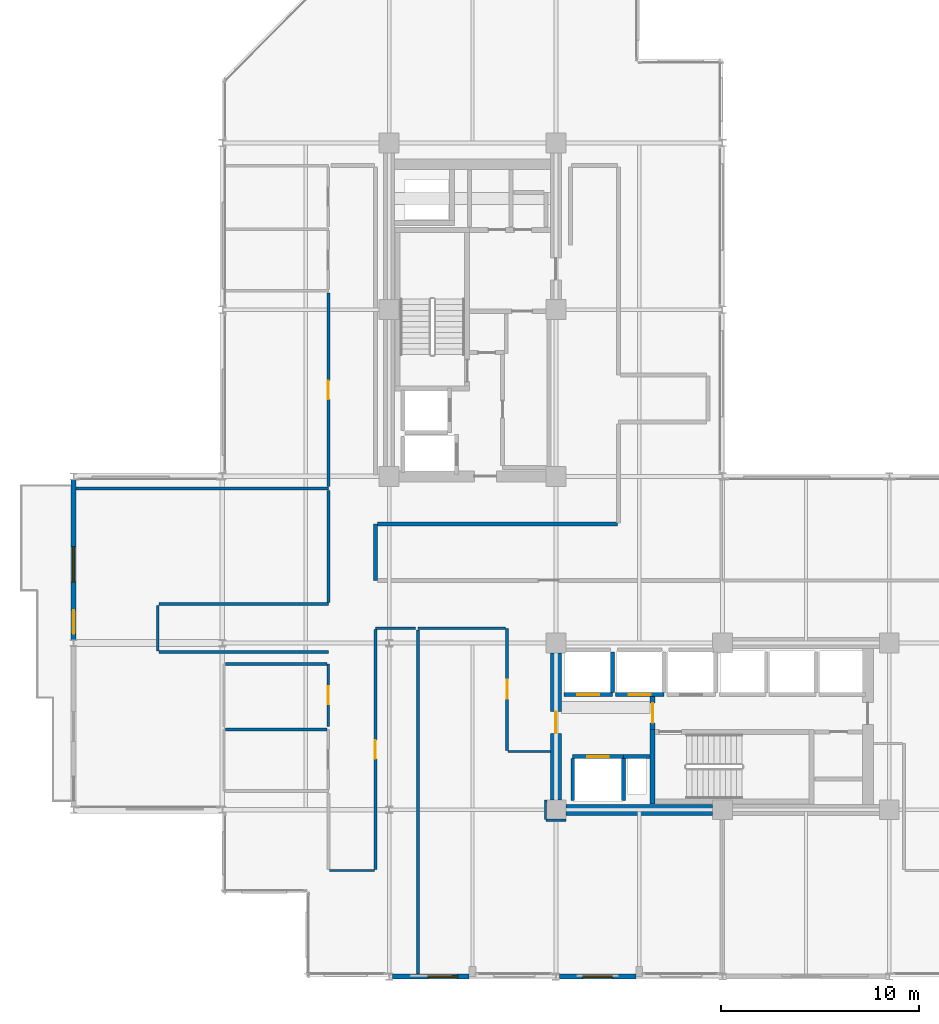
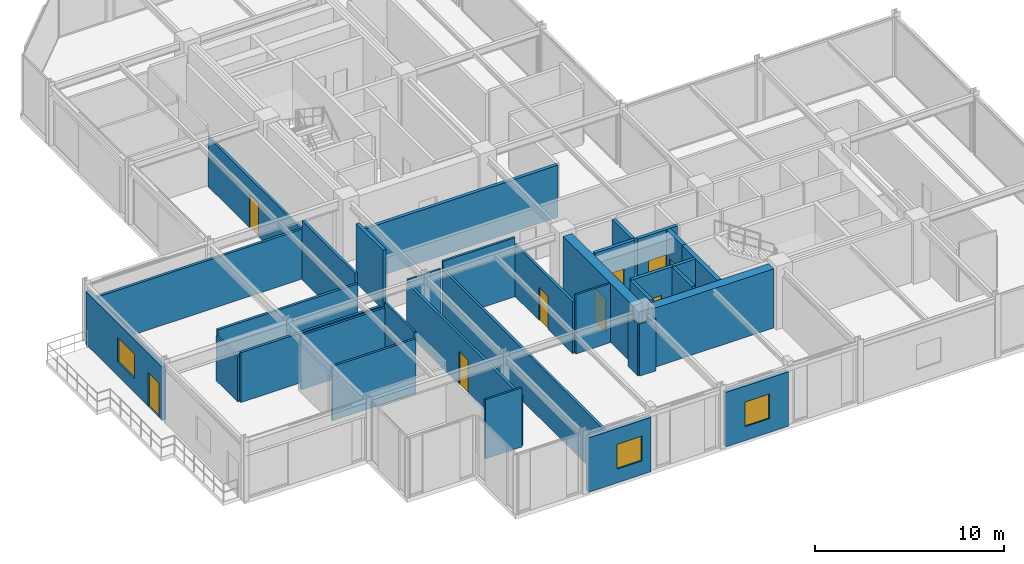
# One storey, part 24 of 29: 34 walls, 10 doors, 3 windows, 13 openings.
"""IFC4 building model written with IfcOpenShell, lengths in metres."""

from ifc_helpers import new_model, si_unit, direction, frame, frame_2d, origin, place, context, subcontext, project, spatial, rectangle, extrude, material, layer, layer_set, type_object, element, fill, save


model = new_model("IFC4")

# Units and contexts
model_context = context("Model", 3, precision=1e-05, world=origin(), true_north=direction((0.0, 1.0)))
body_context = subcontext(model_context, "Body", "Model", "MODEL_VIEW")
ifc_project = project(units=[si_unit("LENGTHUNIT", "METRE"), si_unit("AREAUNIT", "SQUARE_METRE"), si_unit("VOLUMEUNIT", "CUBIC_METRE"), si_unit("PLANEANGLEUNIT", "RADIAN"), si_unit("MASSUNIT", "GRAM", prefix="KILO")], contexts=[model_context])

# Site, building, storey
site_placement = place(None, origin())
site = spatial("IfcSite", under=ifc_project, at=site_placement, CompositionType="ELEMENT")
building_placement = place(site_placement, origin())
building = spatial("IfcBuilding", under=site, at=building_placement, Name="Nerrivon Quay Data Exchange", CompositionType="ELEMENT")
storey_placement = place(building_placement, frame((0.0, 0.0, 187.800048828125)))
storey = spatial("IfcBuildingStorey", under=building, at=storey_placement, Name="L44", CompositionType="ELEMENT", Elevation=187.800048828125)

# Wall, openings, door, window
ifc_material_1 = material(Name="Architectural terracotta precast concrete N50 (50 MPa)", Category="masonry")
ifc_layer_1 = layer(ifc_material_1, 0.239990234375)
ifc_layer_set_1 = layer_set([ifc_layer_1], Name="Architectural terracotta precast concrete N50 (50 MPa)")
wall_type_1 = type_object("IfcWallType", Name="EW-PREC-240", PredefinedType="STANDARD", material=ifc_layer_set_1)
wall_1_placement = place(storey_placement, frame((-7.5, 16.96337890625, 0.0), z_axis=(0.0, 0.0, 1.0), x_axis=(0.0, 1.0, 0.0)))
wall_1 = element("IfcWall", 1, at=wall_1_placement, inside=storey, type_object=wall_type_1, Name="L44 Terrace Host Wall 2", PredefinedType="STANDARD", context=body_context, shape_type="SweptSolid", body=[
    extrude(rectangle(XDim=8.0732421875, YDim=0.239990234375, at=frame_2d((4.03662109375, 0.0))), origin(), (0.0, 0.0, 1.0), 3.421875),
])
opening_1_placement = place(wall_1_placement, frame((0.300048828125, 0.0, 0.0)))
opening_1 = element("IfcOpeningElement", 2, at=opening_1_placement, cuts=wall_1, Name="Opening TD1", PredefinedType="OPENING", context=body_context, shape_type="SweptSolid", body=[
    extrude(rectangle(XDim=1.199951171875, YDim=2.199951171875, at=frame_2d((0.60009765625, 1.10009765625))), frame((0.0, 0.1298828125, 0.0), z_axis=(0.0, -1.0, 0.0), x_axis=(1.0, 0.0, 0.0)), (0.0, 0.0, 1.0), 0.260009765625),
])
opening_2_placement = place(wall_1_placement, frame((2.90283203125, 0.0, 0.89990234375)))
opening_2 = element("IfcOpeningElement", 3, at=opening_2_placement, cuts=wall_1, Name="Opening WN2", PredefinedType="OPENING", context=body_context, shape_type="SweptSolid", body=[
    extrude(rectangle(XDim=1.800048828125, YDim=1.60009765625, at=frame_2d((0.89990234375, 0.800048828125))), frame((0.0, 0.1298828125, 0.0), z_axis=(0.0, -1.0, 0.0), x_axis=(1.0, 0.0, 0.0)), (0.0, 0.0, 1.0), 0.260009765625),
])
ifc_material_2 = material(Name="Double-glazed low-E solar control glass", Category="glass")
door_type_1 = type_object("IfcDoorType", Name="DR-TERR-1200x2200", OperationType="NOTDEFINED", PredefinedType="DOOR", material=ifc_material_2)
door_1_placement = place(opening_1_placement, origin())
door_1 = element("IfcDoor", 4, at=door_1_placement, inside=storey, type_object=door_type_1, Name="L44 Outdoor Terrace Access Door 2", OperationType="SINGLE_SWING_LEFT", OverallHeight=2.199951171875, OverallWidth=1.199951171875, PredefinedType="DOOR", context=body_context, shape_type="SweptSolid", body=[
    extrude(rectangle(XDim=1.199951171875, YDim=2.199951171875, at=frame_2d((0.60009765625, 1.10009765625))), frame((0.0, 0.02490234375, 0.0), z_axis=(0.0, -1.0, 0.0), x_axis=(1.0, 0.0, 0.0)), (0.0, 0.0, 1.0), 0.050048828125),
])
fill(opening_1, door_1)
window_type_1 = type_object("IfcWindowType", Name="WIN-W2-1800x1600", PartitioningType="SINGLE_PANEL", PredefinedType="WINDOW", material=ifc_material_2)
window_1_placement = place(opening_2_placement, origin())
window_1 = element("IfcWindow", 5, at=window_1_placement, inside=storey, type_object=window_type_1, Name="L44 Terrace Side Window 2", OverallHeight=1.60009765625, OverallWidth=1.800048828125, PartitioningType="SINGLE_PANEL", PredefinedType="WINDOW", context=body_context, shape_type="SweptSolid", body=[
    extrude(rectangle(XDim=1.800048828125, YDim=1.60009765625, at=frame_2d((0.89990234375, 0.800048828125))), frame((0.0, 0.030029296875, 0.0), z_axis=(0.0, -1.0, 0.0), x_axis=(1.0, 0.0, 0.0)), (0.0, 0.0, 1.0), 0.06005859375),
])
fill(opening_2, window_1)

# Wall, opening, window
wall_2_placement = place(storey_placement, frame((20.824951171875, 0.0, 0.0), z_axis=(0.0, 0.0, 1.0), x_axis=(-1.0, 0.0, 0.0)))
wall_2 = element("IfcWall", 6, at=wall_2_placement, inside=storey, type_object=wall_type_1, Name="L44 Podium Precast Spandrel Wall 25", PredefinedType="STANDARD", context=body_context, shape_type="SweptSolid", body=[
    extrude(rectangle(XDim=3.849853515625, YDim=0.239990234375, at=frame_2d((1.9248046875, 0.0))), origin(), (0.0, 0.0, 1.0), 3.52490234375),
])
opening_3_placement = place(wall_2_placement, frame((1.175048828125, 0.0, 0.89990234375)))
opening_3 = element("IfcOpeningElement", 7, at=opening_3_placement, cuts=wall_2, Name="Opening WN4", PredefinedType="OPENING", context=body_context, shape_type="SweptSolid", body=[
    extrude(rectangle(XDim=1.5, YDim=1.60009765625, at=frame_2d((0.75, 0.800048828125))), frame((0.0, 0.1298828125, 0.0), z_axis=(0.0, -1.0, 0.0), x_axis=(1.0, 0.0, 0.0)), (0.0, 0.0, 1.0), 0.260009765625),
])
window_type_2 = type_object("IfcWindowType", Name="WIN-W4-1500x1600", PartitioningType="SINGLE_PANEL", PredefinedType="WINDOW", material=ifc_material_2)
window_2_placement = place(opening_3_placement, origin())
window_2 = element("IfcWindow", 8, at=window_2_placement, inside=storey, type_object=window_type_2, Name="L44 Solar Facade Window 25", OverallHeight=1.60009765625, OverallWidth=1.5, PartitioningType="SINGLE_PANEL", PredefinedType="WINDOW", context=body_context, shape_type="SweptSolid", body=[
    extrude(rectangle(XDim=1.5, YDim=1.60009765625, at=frame_2d((0.75, 0.800048828125))), frame((0.0, 0.030029296875, 0.0), z_axis=(0.0, -1.0, 0.0), x_axis=(1.0, 0.0, 0.0)), (0.0, 0.0, 1.0), 0.06005859375),
])
fill(opening_3, window_2)

wall_3_placement = place(storey_placement, frame((12.425048828125, 0.0, 0.0), z_axis=(0.0, 0.0, 1.0), x_axis=(-1.0, 0.0, 0.0)))
wall_3 = element("IfcWall", 9, at=wall_3_placement, inside=storey, type_object=wall_type_1, Name="L44 Podium Precast Spandrel Wall 27", PredefinedType="STANDARD", context=body_context, shape_type="SweptSolid", body=[
    extrude(rectangle(XDim=3.85009765625, YDim=0.239990234375, at=frame_2d((1.925048828125, 0.0))), origin(), (0.0, 0.0, 1.0), 3.52490234375),
])
opening_4_placement = place(wall_3_placement, frame((0.57861328125, 0.0, 0.89990234375)))
opening_4 = element("IfcOpeningElement", 10, at=opening_4_placement, cuts=wall_3, Name="Opening WN4", PredefinedType="OPENING", context=body_context, shape_type="SweptSolid", body=[
    extrude(rectangle(XDim=1.5, YDim=1.60009765625, at=frame_2d((0.75, 0.800048828125))), frame((0.0, 0.1298828125, 0.0), z_axis=(0.0, -1.0, 0.0), x_axis=(1.0, 0.0, 0.0)), (0.0, 0.0, 1.0), 0.260009765625),
])
window_3_placement = place(opening_4_placement, origin())
window_3 = element("IfcWindow", 11, at=window_3_placement, inside=storey, type_object=window_type_2, Name="L44 Solar Facade Window 27", OverallHeight=1.60009765625, OverallWidth=1.5, PartitioningType="SINGLE_PANEL", PredefinedType="WINDOW", context=body_context, shape_type="SweptSolid", body=[
    extrude(rectangle(XDim=1.5, YDim=1.60009765625, at=frame_2d((0.75, 0.800048828125))), frame((0.0, 0.030029296875, 0.0), z_axis=(0.0, -1.0, 0.0), x_axis=(1.0, 0.0, 0.0)), (0.0, 0.0, 1.0), 0.06005859375),
])
fill(opening_4, window_3)

# Wall
ifc_material_3 = material(Name="Concrete S65 (65 MPa)", Category="concrete")
ifc_layer_2 = layer(ifc_material_3, 0.550048828125)
ifc_layer_set_2 = layer_set([ifc_layer_2], Name="Concrete S65 (65 MPa)")
wall_type_2 = type_object("IfcWallType", Name="WALL-CW-700", PredefinedType="SHEAR", material=ifc_layer_set_2)
wall_4_placement = place(storey_placement, frame((17.300048828125, 8.39990234375, 0.0), z_axis=(0.0, 0.0, 1.0), x_axis=(1.0, 0.0, 0.0)))
element("IfcWall", 12, at=wall_4_placement, inside=storey, type_object=wall_type_2, Name="L44 East Split-Core Shear Wall ECW-S1", PredefinedType="SHEAR", context=body_context, shape_type="SweptSolid", body=[
    extrude(rectangle(XDim=7.39990234375, YDim=0.550048828125, at=frame_2d((3.699951171875, 0.0))), origin(), (0.0, 0.0, 1.0), 3.824951171875),
])

# Wall, opening, door
wall_5_placement = place(storey_placement, frame((16.800048828125, 8.89990234375, 0.0), z_axis=(0.0, 0.0, 1.0), x_axis=(0.0, 1.0, 0.0)))
wall_5 = element("IfcWall", 13, at=wall_5_placement, inside=storey, type_object=wall_type_2, Name="L44 East Split-Core Shear Wall ECW-W1", PredefinedType="SHEAR", context=body_context, shape_type="SweptSolid", body=[
    extrude(rectangle(XDim=7.400146484375, YDim=0.550048828125, at=frame_2d((3.7001953125, 0.0))), origin(), (0.0, 0.0, 1.0), 3.824951171875),
])
opening_5_placement = place(wall_5_placement, frame((3.35009765625, 0.0, 0.0)))
opening_5 = element("IfcOpeningElement", 14, at=opening_5_placement, cuts=wall_5, Name="Opening FD-120", PredefinedType="OPENING", context=body_context, shape_type="SweptSolid", body=[
    extrude(rectangle(XDim=1.10009765625, YDim=2.14990234375, at=frame_2d((0.550048828125, 1.074951171875))), frame((0.0, 0.284912109375, 0.0), z_axis=(0.0, -1.0, 0.0), x_axis=(1.0, 0.0, 0.0)), (0.0, 0.0, 1.0), 0.570068359375),
])
ifc_material_4 = material(Name="Powder-coated galvanized steel sheet", Category="steel")
door_type_2 = type_object("IfcDoorType", Name="DR-FD120-1100", OperationType="NOTDEFINED", PredefinedType="DOOR", material=ifc_material_4)
door_2_placement = place(opening_5_placement, origin())
door_2 = element("IfcDoor", 15, at=door_2_placement, inside=storey, type_object=door_type_2, Name="L44 East Core Lobby Fire Door", OperationType="SINGLE_SWING_RIGHT", OverallHeight=2.14990234375, OverallWidth=1.10009765625, PredefinedType="DOOR", context=body_context, shape_type="SweptSolid", body=[
    extrude(rectangle(XDim=1.10009765625, YDim=2.14990234375, at=frame_2d((0.550048828125, 1.074951171875))), frame((0.0, 0.02490234375, 0.0), z_axis=(0.0, -1.0, 0.0), x_axis=(1.0, 0.0, 0.0)), (0.0, 0.0, 1.0), 0.050048828125),
])
fill(opening_5, door_2)

# Wall
ifc_material_5 = material(Name="Gypsum plasterboard on cold-formed framing", Category="gypsum")
ifc_layer_3 = layer(ifc_material_5, 0.199951171875)
ifc_layer_set_3 = layer_set([ifc_layer_3], Name="Gypsum plasterboard on cold-formed framing")
wall_type_3 = type_object("IfcWallType", Name="WALL-FW-200", PredefinedType="PARTITIONING", material=ifc_layer_set_3)
wall_6_placement = place(storey_placement, frame((20.199951171875, 11.080078125, 0.0), z_axis=(0.0, 0.0, 1.0), x_axis=(1.0, 0.0, 0.0)))
element("IfcWall", 16, at=wall_6_placement, inside=storey, type_object=wall_type_3, Name="L44 East Core MEP Riser Shaft Wall N", PredefinedType="PARTITIONING", context=body_context, shape_type="SweptSolid", body=[
    extrude(rectangle(XDim=1.35009765625, YDim=0.199951171875, at=frame_2d((0.675048828125, 0.0))), origin(), (0.0, 0.0, 1.0), 3.824951171875),
])

# Wall, opening, door
wall_7_placement = place(storey_placement, frame((17.64990234375, 11.080078125, 0.0), z_axis=(0.0, 0.0, 1.0), x_axis=(1.0, 0.0, 0.0)))
wall_7 = element("IfcWall", 17, at=wall_7_placement, inside=storey, type_object=wall_type_3, Name="L44 Lift Front Wall FFL-2", PredefinedType="PARTITIONING", context=body_context, shape_type="SweptSolid", body=[
    extrude(rectangle(XDim=2.550048828125, YDim=0.199951171875, at=frame_2d((1.27490234375, 0.0))), origin(), (0.0, 0.0, 1.0), 3.824951171875),
])
opening_6_placement = place(wall_7_placement, frame((0.72509765625, 0.0, 0.0)))
opening_6 = element("IfcOpeningElement", 18, at=opening_6_placement, cuts=wall_7, Name="Opening LD-120", PredefinedType="OPENING", context=body_context, shape_type="SweptSolid", body=[
    extrude(rectangle(XDim=1.10009765625, YDim=2.199951171875, at=frame_2d((0.550048828125, 1.10009765625))), frame((0.0, 0.10986328125, 0.0), z_axis=(0.0, -1.0, 0.0), x_axis=(1.0, 0.0, 0.0)), (0.0, 0.0, 1.0), 0.219970703125),
])
door_type_3 = type_object("IfcDoorType", Name="DR-LIFT-LD120", OperationType="DOUBLE_DOOR_SLIDING", PredefinedType="DOOR", material=ifc_material_4)
door_3_placement = place(opening_6_placement, origin())
door_3 = element("IfcDoor", 19, at=door_3_placement, inside=storey, type_object=door_type_3, Name="L44 Lift Landing Sliding Door FFL-2", OperationType="DOUBLE_DOOR_SLIDING", OverallHeight=2.199951171875, OverallWidth=1.10009765625, PredefinedType="DOOR", context=body_context, shape_type="SweptSolid", body=[
    extrude(rectangle(XDim=1.10009765625, YDim=2.199951171875, at=frame_2d((0.550048828125, 1.10009765625))), frame((0.0, 0.02490234375, 0.0), z_axis=(0.0, -1.0, 0.0), x_axis=(1.0, 0.0, 0.0)), (0.0, 0.0, 1.0), 0.050048828125),
])
fill(opening_6, door_3)

# Walls
for number, where, z_axis, x_axis, name in (
    (20, (20.199951171875, 8.8798828125, 0.0), (0.0, 0.0, 1.0), (0.0, 1.0, 0.0), "L44 Lift Shaft Wall FFL-2 EAST"),
    (21, (17.64990234375, 8.8798828125, 0.0), (0.0, 0.0, 1.0), (0.0, 1.0, 0.0), "L44 Lift Shaft Wall FFL-2 WEST"),
):
    element("IfcWall", number, at=place(storey_placement, frame(where, z_axis=z_axis, x_axis=x_axis)), inside=storey, type_object=wall_type_3, Name=name, PredefinedType="PARTITIONING", context=body_context, shape_type="SweptSolid", body=[
        extrude(rectangle(XDim=2.10009765625, YDim=0.199951171875, at=frame_2d((1.050048828125, 0.0))), origin(), (0.0, 0.0, 1.0), 3.824951171875),
    ])

# Wall, opening, door
wall_8_placement = place(storey_placement, frame((17.199951171875, 14.199951171875, 0.0), z_axis=(0.0, 0.0, 1.0), x_axis=(1.0, 0.0, 0.0)))
wall_8 = element("IfcWall", 22, at=wall_8_placement, inside=storey, type_object=wall_type_3, Name="L44 Lift Front Wall PL4", PredefinedType="PARTITIONING", context=body_context, shape_type="SweptSolid", body=[
    extrude(rectangle(XDim=2.449951171875, YDim=0.199951171875, at=frame_2d((1.22509765625, 0.0))), origin(), (0.0, 0.0, 1.0), 3.824951171875),
])
opening_7_placement = place(wall_8_placement, frame((0.675048828125, 0.0, 0.0)))
opening_7 = element("IfcOpeningElement", 23, at=opening_7_placement, cuts=wall_8, Name="Opening LD-120", PredefinedType="OPENING", context=body_context, shape_type="SweptSolid", body=[
    extrude(rectangle(XDim=1.10009765625, YDim=2.199951171875, at=frame_2d((0.550048828125, 1.10009765625))), frame((0.0, 0.10986328125, 0.0), z_axis=(0.0, -1.0, 0.0), x_axis=(1.0, 0.0, 0.0)), (0.0, 0.0, 1.0), 0.219970703125),
])
door_4_placement = place(opening_7_placement, origin())
door_4 = element("IfcDoor", 24, at=door_4_placement, inside=storey, type_object=door_type_3, Name="L44 Lift Landing Sliding Door PL4", OperationType="DOUBLE_DOOR_SLIDING", OverallHeight=2.199951171875, OverallWidth=1.10009765625, PredefinedType="DOOR", context=body_context, shape_type="SweptSolid", body=[
    extrude(rectangle(XDim=1.10009765625, YDim=2.199951171875, at=frame_2d((0.550048828125, 1.10009765625))), frame((0.0, 0.02490234375, 0.0), z_axis=(0.0, -1.0, 0.0), x_axis=(1.0, 0.0, 0.0)), (0.0, 0.0, 1.0), 0.050048828125),
])
fill(opening_7, door_4)

# Wall
wall_9_placement = place(storey_placement, frame((19.64990234375, 14.300048828125, 0.0), z_axis=(0.0, 0.0, 1.0), x_axis=(0.0, 1.0, 0.0)))
element("IfcWall", 25, at=wall_9_placement, inside=storey, type_object=wall_type_3, Name="L44 Lift Shaft Wall PL4 EAST", PredefinedType="PARTITIONING", context=body_context, shape_type="SweptSolid", body=[
    extrude(rectangle(XDim=2.050048828125, YDim=0.199951171875, at=frame_2d((1.02490234375, 0.0))), origin(), (0.0, 0.0, 1.0), 3.824951171875),
])

# Wall, opening, door
wall_10_placement = place(storey_placement, frame((19.800048828125, 14.199951171875, 0.0), z_axis=(0.0, 0.0, 1.0), x_axis=(1.0, 0.0, 0.0)))
wall_10 = element("IfcWall", 26, at=wall_10_placement, inside=storey, type_object=wall_type_3, Name="L44 Lift Front Wall PL5", PredefinedType="PARTITIONING", context=body_context, shape_type="SweptSolid", body=[
    extrude(rectangle(XDim=2.449951171875, YDim=0.199951171875, at=frame_2d((1.22509765625, 0.0))), origin(), (0.0, 0.0, 1.0), 3.824951171875),
])
opening_8_placement = place(wall_10_placement, frame((0.675048828125, 0.0, 0.0)))
opening_8 = element("IfcOpeningElement", 27, at=opening_8_placement, cuts=wall_10, Name="Opening LD-120", PredefinedType="OPENING", context=body_context, shape_type="SweptSolid", body=[
    extrude(rectangle(XDim=1.10009765625, YDim=2.199951171875, at=frame_2d((0.550048828125, 1.10009765625))), frame((0.0, 0.10986328125, 0.0), z_axis=(0.0, -1.0, 0.0), x_axis=(1.0, 0.0, 0.0)), (0.0, 0.0, 1.0), 0.219970703125),
])
door_5_placement = place(opening_8_placement, origin())
door_5 = element("IfcDoor", 28, at=door_5_placement, inside=storey, type_object=door_type_3, Name="L44 Lift Landing Sliding Door PL5", OperationType="DOUBLE_DOOR_SLIDING", OverallHeight=2.199951171875, OverallWidth=1.10009765625, PredefinedType="DOOR", context=body_context, shape_type="SweptSolid", body=[
    extrude(rectangle(XDim=1.10009765625, YDim=2.199951171875, at=frame_2d((0.550048828125, 1.10009765625))), frame((0.0, 0.02490234375, 0.0), z_axis=(0.0, -1.0, 0.0), x_axis=(1.0, 0.0, 0.0)), (0.0, 0.0, 1.0), 0.050048828125),
])
fill(opening_8, door_5)

# Walls
wall_11_placement = place(storey_placement, frame((7.7099609375, 22.7900390625, 0.0), z_axis=(0.0, 0.0, 1.0), x_axis=(0.0, -1.0, 0.0)))
element("IfcWall", 29, at=wall_11_placement, inside=storey, type_object=wall_type_3, Name="L44 Partition Colocation Data Workspace 1", PredefinedType="PARTITIONING", context=body_context, shape_type="SweptSolid", body=[
    extrude(rectangle(XDim=2.830078125, YDim=0.199951171875, at=frame_2d((1.4150390625, 0.0))), origin(), (0.0, 0.0, 1.0), 3.824951171875),
])
wall_12_placement = place(storey_placement, frame((19.89990234375, 22.7900390625, 0.0), z_axis=(0.0, 0.0, 1.0), x_axis=(-1.0, 0.0, 0.0)))
element("IfcWall", 30, at=wall_12_placement, inside=storey, type_object=wall_type_3, Name="L44 Partition Colocation Data Workspace 1", PredefinedType="PARTITIONING", context=body_context, shape_type="SweptSolid", body=[
    extrude(rectangle(XDim=12.0859375, YDim=0.199951171875, at=frame_2d((6.04296875, 0.0))), origin(), (0.0, 0.0, 1.0), 3.370849609375),
])

# Wall, opening, door
ifc_layer_4 = layer(ifc_material_5, 0.1201171875)
ifc_layer_set_4 = layer_set([ifc_layer_4], Name="Gypsum plasterboard on cold-formed framing")
wall_type_4 = type_object("IfcWallType", Name="WALL-PT-120", PredefinedType="PARTITIONING", material=ifc_layer_set_4)
wall_13_placement = place(storey_placement, frame((5.340087890625, 12.60009765625, 0.0), z_axis=(0.0, 0.0, 1.0), x_axis=(0.0, 1.0, 0.0)))
wall_13 = element("IfcWall", 31, at=wall_13_placement, inside=storey, type_object=wall_type_4, Name="L44 Partition Public Washrooms", PredefinedType="PARTITIONING", context=body_context, shape_type="SweptSolid", body=[
    extrude(rectangle(XDim=3.14990234375, YDim=0.1201171875, at=frame_2d((1.574951171875, 0.0))), origin(), (0.0, 0.0, 1.0), 3.824951171875),
])
opening_9_placement = place(wall_13_placement, frame((1.114990234375, 0.0, 0.0)))
opening_9 = element("IfcOpeningElement", 32, at=opening_9_placement, cuts=wall_13, Name="Opening D-WC", PredefinedType="OPENING", context=body_context, shape_type="SweptSolid", body=[
    extrude(rectangle(XDim=0.919921875, YDim=2.10009765625, at=frame_2d((0.4599609375, 1.050048828125))), frame((0.0, 0.070068359375, 0.0), z_axis=(0.0, -1.0, 0.0), x_axis=(1.0, 0.0, 0.0)), (0.0, 0.0, 1.0), 0.14013671875),
])
ifc_material_6 = material(Name="Engineered hardwood timber", Category="wood")
door_type_4 = type_object("IfcDoorType", Name="DR-WC-920", OperationType="NOTDEFINED", PredefinedType="DOOR", material=ifc_material_6)
door_6_placement = place(opening_9_placement, origin())
door_6 = element("IfcDoor", 33, at=door_6_placement, inside=storey, type_object=door_type_4, Name="L44 Door Public Washrooms", OperationType="SINGLE_SWING_LEFT", OverallHeight=2.10009765625, OverallWidth=0.919921875, PredefinedType="DOOR", context=body_context, shape_type="SweptSolid", body=[
    extrude(rectangle(XDim=0.919921875, YDim=2.10009765625, at=frame_2d((0.4599609375, 1.050048828125))), frame((0.0, 0.02490234375, 0.0), z_axis=(0.0, -1.0, 0.0), x_axis=(1.0, 0.0, 0.0)), (0.0, 0.0, 1.0), 0.050048828125),
])
fill(opening_9, door_6)

# Walls
wall_14_placement = place(storey_placement, frame((17.303955078125, 7.88037109375, 0.0), z_axis=(0.0, 0.0, 1.0), x_axis=(-0.999999883085, 0.000483558938, 0.0)))
element("IfcWall", 34, at=wall_14_placement, inside=storey, type_object=wall_type_4, Name="L44 Partition Client Conference Room 1", PredefinedType="PARTITIONING", context=body_context, shape_type="SweptSolid", body=[
    extrude(rectangle(XDim=1.009765625, YDim=0.1201171875, at=frame_2d((0.5048828125, 0.0))), origin(), (0.0, 0.0, 1.0), 3.370849609375),
])
wall_15_placement = place(storey_placement, frame((16.280029296875, 7.89990234375, 0.0), z_axis=(0.0, 0.0, 1.0), x_axis=(0.000486381265, 0.999999881717, 0.0)))
element("IfcWall", 35, at=wall_15_placement, inside=storey, type_object=wall_type_4, Name="L44 Partition Client Conference Room 1", PredefinedType="PARTITIONING", context=body_context, shape_type="SweptSolid", body=[
    extrude(rectangle(XDim=1.00390625, YDim=0.1201171875, at=frame_2d((0.501953125, 0.0))), origin(), (0.0, 0.0, 1.0), 3.364990234375),
])
wall_16_placement = place(storey_placement, frame((16.52099609375, 11.340087890625, 0.0), z_axis=(0.0, 0.0, 1.0), x_axis=(-1.0, 0.0, 0.0)))
element("IfcWall", 36, at=wall_16_placement, inside=storey, type_object=wall_type_4, Name="L44 Partition Client Conference Room 1", PredefinedType="PARTITIONING", context=body_context, shape_type="SweptSolid", body=[
    extrude(rectangle(XDim=2.12109375, YDim=0.1201171875, at=frame_2d((1.060546875, 0.0))), origin(), (0.0, 0.0, 1.0), 3.824951171875),
])
wall_17_placement = place(storey_placement, frame((9.738037109375, 17.5400390625, 0.0), z_axis=(0.0, 0.0, 1.0), x_axis=(-1.0, 0.0, 0.0)))
element("IfcWall", 37, at=wall_17_placement, inside=storey, type_object=wall_type_4, Name="L44 Partition Peering Huddle Meeting Room", PredefinedType="PARTITIONING", context=body_context, shape_type="SweptSolid", body=[
    extrude(rectangle(XDim=2.028076171875, YDim=0.1201171875, at=frame_2d((1.01416015625, 0.0))), origin(), (0.0, 0.0, 1.0), 3.370849609375),
])
wall_18_placement = place(storey_placement, frame((7.64990234375, 5.340087890625, 0.0), z_axis=(0.0, 0.0, 1.0), x_axis=(-1.0, 0.0, 0.0)))
element("IfcWall", 38, at=wall_18_placement, inside=storey, type_object=wall_type_4, Name="L44 Partition Peering Huddle Meeting Room", PredefinedType="PARTITIONING", context=body_context, shape_type="SweptSolid", body=[
    extrude(rectangle(XDim=2.25, YDim=0.1201171875, at=frame_2d((1.125, 0.0))), origin(), (0.0, 0.0, 1.0), 3.824951171875),
])
wall_19_placement = place(storey_placement, frame((-3.260009765625, 16.39990234375, 0.0), z_axis=(0.0, 0.0, 1.0), x_axis=(0.0, 1.0, 0.0)))
element("IfcWall", 39, at=wall_19_placement, inside=storey, type_object=wall_type_4, Name="L44 Partition Peering Huddle Meeting Room", PredefinedType="PARTITIONING", context=body_context, shape_type="SweptSolid", body=[
    extrude(rectangle(XDim=2.300048828125, YDim=0.1201171875, at=frame_2d((1.14990234375, 0.0))), origin(), (0.0, 0.0, 1.0), 2.9150390625),
])
ifc_layer_5 = layer(ifc_material_5, 0.135009765625)
ifc_layer_set_5 = layer_set([ifc_layer_5], Name="Gypsum plasterboard on cold-formed framing")
wall_type_5 = type_object("IfcWallType", Name="WALL-PT-135", PredefinedType="PARTITIONING", material=ifc_layer_set_5)
for number, where, z_axis, x_axis, name in (
    (40, (5.27587890625, 12.449951171875, 0.0), (0.0, 0.0, 1.0), (-1.0, 0.0, 0.0), "L44 Partition Accessible Toilet"),
    (41, (5.27587890625, 15.75, 0.0), (0.0, 0.0, 1.0), (-1.0, 0.0, 0.0), "L44 Partition Public Washrooms"),
):
    element("IfcWall", number, at=place(storey_placement, frame(where, z_axis=z_axis, x_axis=x_axis)), inside=storey, type_object=wall_type_5, Name=name, PredefinedType="PARTITIONING", context=body_context, shape_type="SweptSolid", body=[
        extrude(rectangle(XDim=5.1318359375, YDim=0.135009765625, at=frame_2d((2.56591796875, 0.0))), origin(), (0.0, 0.0, 1.0), 3.51806640625),
    ])
wall_20_placement = place(storey_placement, frame((14.260986328125, 17.5400390625, 0.0), z_axis=(0.0, 0.0, 1.0), x_axis=(-1.0, 0.0, 0.0)))
element("IfcWall", 42, at=wall_20_placement, inside=storey, type_object=wall_type_5, Name="L44 Partition Client Conference Room 1", PredefinedType="PARTITIONING", context=body_context, shape_type="SweptSolid", body=[
    extrude(rectangle(XDim=4.40283203125, YDim=0.135009765625, at=frame_2d((2.201416015625, 0.0))), origin(), (0.0, 0.0, 1.0), 3.824951171875),
])
ifc_layer_6 = layer(ifc_material_5, 0.14990234375)
ifc_layer_set_6 = layer_set([ifc_layer_6], Name="Gypsum plasterboard on cold-formed framing")
wall_type_6 = type_object("IfcWallType", Name="WALL-PT-150", PredefinedType="PARTITIONING", material=ifc_layer_set_6)
wall_21_placement = place(storey_placement, frame((-7.3759765625, 24.599365234375, 0.0), z_axis=(0.0, 0.0, 1.0), x_axis=(1.0, 0.0, 0.0)))
element("IfcWall", 43, at=wall_21_placement, inside=storey, type_object=wall_type_6, Name="L44 Partition Staff Pantry", PredefinedType="PARTITIONING", context=body_context, shape_type="SweptSolid", body=[
    extrude(rectangle(XDim=12.716064453125, YDim=0.14990234375, at=frame_2d((6.35791015625, 0.0))), origin(), (0.0, 0.0, 1.0), 3.222900390625),
])

# Wall, opening, door
wall_22_placement = place(storey_placement, frame((5.340087890625, 24.678466796875, 0.0), z_axis=(0.0, 0.0, 1.0), x_axis=(0.0, 1.0, 0.0)))
wall_22 = element("IfcWall", 44, at=wall_22_placement, inside=storey, type_object=wall_type_6, Name="L44 Partition Staff Pantry", PredefinedType="PARTITIONING", context=body_context, shape_type="SweptSolid", body=[
    extrude(rectangle(XDim=9.75146484375, YDim=0.14990234375, at=frame_2d((4.875732421875, 0.0))), origin(), (0.0, 0.0, 1.0), 3.212890625),
])
opening_10_placement = place(wall_22_placement, frame((4.40087890625, 0.0, 0.0)))
opening_10 = element("IfcOpeningElement", 45, at=opening_10_placement, cuts=wall_22, Name="Opening D-01", PredefinedType="OPENING", context=body_context, shape_type="SweptSolid", body=[
    extrude(rectangle(XDim=0.949951171875, YDim=2.14990234375, at=frame_2d((0.47509765625, 1.074951171875))), frame((0.0, 0.0849609375, 0.0), z_axis=(0.0, -1.0, 0.0), x_axis=(1.0, 0.0, 0.0)), (0.0, 0.0, 1.0), 0.169921875),
])
door_type_5 = type_object("IfcDoorType", Name="DR-INT-950", OperationType="NOTDEFINED", PredefinedType="DOOR", material=ifc_material_6)
door_7_placement = place(opening_10_placement, origin())
door_7 = element("IfcDoor", 46, at=door_7_placement, inside=storey, type_object=door_type_5, Name="L44 Door Staff Pantry", OperationType="SINGLE_SWING_RIGHT", OverallHeight=2.14990234375, OverallWidth=0.949951171875, PredefinedType="DOOR", context=body_context, shape_type="SweptSolid", body=[
    extrude(rectangle(XDim=0.949951171875, YDim=2.14990234375, at=frame_2d((0.47509765625, 1.074951171875))), frame((0.0, 0.02490234375, 0.0), z_axis=(0.0, -1.0, 0.0), x_axis=(1.0, 0.0, 0.0)), (0.0, 0.0, 1.0), 0.050048828125),
])
fill(opening_10, door_7)

wall_23_placement = place(storey_placement, frame((14.340087890625, 11.39990234375, 0.0), z_axis=(0.0, 0.0, 1.0), x_axis=(0.0, 1.0, 0.0)))
wall_23 = element("IfcWall", 47, at=wall_23_placement, inside=storey, type_object=wall_type_6, Name="L44 Partition Client Conference Room 1", PredefinedType="PARTITIONING", context=body_context, shape_type="SweptSolid", body=[
    extrude(rectangle(XDim=6.14013671875, YDim=0.14990234375, at=frame_2d((3.070068359375, 0.0))), origin(), (0.0, 0.0, 1.0), 3.364990234375),
])
opening_11_placement = place(wall_23_placement, frame((2.594970703125, 0.0, 0.0)))
opening_11 = element("IfcOpeningElement", 48, at=opening_11_placement, cuts=wall_23, Name="Opening D-01", PredefinedType="OPENING", context=body_context, shape_type="SweptSolid", body=[
    extrude(rectangle(XDim=0.949951171875, YDim=2.14990234375, at=frame_2d((0.47509765625, 1.074951171875))), frame((0.0, 0.0849609375, 0.0), z_axis=(0.0, -1.0, 0.0), x_axis=(1.0, 0.0, 0.0)), (0.0, 0.0, 1.0), 0.169921875),
])
door_8_placement = place(opening_11_placement, origin())
door_8 = element("IfcDoor", 49, at=door_8_placement, inside=storey, type_object=door_type_5, Name="L44 Door Client Conference Room 1", OperationType="SINGLE_SWING_LEFT", OverallHeight=2.14990234375, OverallWidth=0.949951171875, PredefinedType="DOOR", context=body_context, shape_type="SweptSolid", body=[
    extrude(rectangle(XDim=0.949951171875, YDim=2.14990234375, at=frame_2d((0.47509765625, 1.074951171875))), frame((0.0, 0.02490234375, 0.0), z_axis=(0.0, -1.0, 0.0), x_axis=(1.0, 0.0, 0.0)), (0.0, 0.0, 1.0), 0.050048828125),
])
fill(opening_11, door_8)

# Walls
wall_24_placement = place(storey_placement, frame((9.858154296875, 17.468505859375, 0.0), z_axis=(0.0, 0.0, 1.0), x_axis=(0.0, -1.0, 0.0)))
element("IfcWall", 50, at=wall_24_placement, inside=storey, type_object=wall_type_6, Name="L44 Partition Client Conference Room 1", PredefinedType="PARTITIONING", context=body_context, shape_type="SweptSolid", body=[
    extrude(rectangle(XDim=17.344482421875, YDim=0.14990234375, at=frame_2d((8.67236328125, 0.0))), origin(), (0.0, 0.0, 1.0), 3.364990234375),
])
wall_25_placement = place(storey_placement, frame((-3.199951171875, 18.760009765625, 0.0), z_axis=(0.0, 0.0, 1.0), x_axis=(1.0, 0.0, 0.0)))
element("IfcWall", 51, at=wall_25_placement, inside=storey, type_object=wall_type_6, Name="L44 Partition Peering Huddle Meeting Room", PredefinedType="PARTITIONING", context=body_context, shape_type="SweptSolid", body=[
    extrude(rectangle(XDim=8.5400390625, YDim=0.14990234375, at=frame_2d((4.27001953125, 0.0))), origin(), (0.0, 0.0, 1.0), 3.222900390625),
])
wall_26_placement = place(storey_placement, frame((5.340087890625, 18.839111328125, 0.0), z_axis=(0.0, 0.0, 1.0), x_axis=(0.0, 1.0, 0.0)))
element("IfcWall", 52, at=wall_26_placement, inside=storey, type_object=wall_type_6, Name="L44 Partition Peering Huddle Meeting Room", PredefinedType="PARTITIONING", context=body_context, shape_type="SweptSolid", body=[
    extrude(rectangle(XDim=5.640380859375, YDim=0.14990234375, at=frame_2d((2.8203125, 0.0))), origin(), (0.0, 0.0, 1.0), 3.824951171875),
])

# Wall, opening, door
wall_27_placement = place(storey_placement, frame((7.7099609375, 17.47607421875, 0.0), z_axis=(0.0, 0.0, 1.0), x_axis=(0.0, -1.0, 0.0)))
wall_27 = element("IfcWall", 53, at=wall_27_placement, inside=storey, type_object=wall_type_6, Name="L44 Partition Peering Huddle Meeting Room", PredefinedType="PARTITIONING", context=body_context, shape_type="SweptSolid", body=[
    extrude(rectangle(XDim=12.076171875, YDim=0.14990234375, at=frame_2d((6.0380859375, 0.0))), origin(), (0.0, 0.0, 1.0), 3.212890625),
])
opening_12_placement = place(wall_27_placement, frame((5.56298828125, 0.0, 0.0)))
opening_12 = element("IfcOpeningElement", 54, at=opening_12_placement, cuts=wall_27, Name="Opening D-01", PredefinedType="OPENING", context=body_context, shape_type="SweptSolid", body=[
    extrude(rectangle(XDim=0.949951171875, YDim=2.14990234375, at=frame_2d((0.47509765625, 1.074951171875))), frame((0.0, 0.0849609375, 0.0), z_axis=(0.0, -1.0, 0.0), x_axis=(1.0, 0.0, 0.0)), (0.0, 0.0, 1.0), 0.169921875),
])
door_9_placement = place(opening_12_placement, origin())
door_9 = element("IfcDoor", 55, at=door_9_placement, inside=storey, type_object=door_type_5, Name="L44 Door Peering Huddle Meeting Room", OperationType="SINGLE_SWING_RIGHT", OverallHeight=2.14990234375, OverallWidth=0.949951171875, PredefinedType="DOOR", context=body_context, shape_type="SweptSolid", body=[
    extrude(rectangle(XDim=0.949951171875, YDim=2.14990234375, at=frame_2d((0.47509765625, 1.074951171875))), frame((0.0, 0.02490234375, 0.0), z_axis=(0.0, -1.0, 0.0), x_axis=(1.0, 0.0, 0.0)), (0.0, 0.0, 1.0), 0.050048828125),
])
fill(opening_12, door_9)

# Walls
wall_28_placement = place(storey_placement, frame((5.340087890625, 16.340087890625, 0.0), z_axis=(0.0, 0.0, 1.0), x_axis=(-1.0, 0.0, 0.0)))
element("IfcWall", 56, at=wall_28_placement, inside=storey, type_object=wall_type_6, Name="L44 Partition Peering Huddle Meeting Room", PredefinedType="PARTITIONING", context=body_context, shape_type="SweptSolid", body=[
    extrude(rectangle(XDim=8.5400390625, YDim=0.14990234375, at=frame_2d((4.27001953125, 0.0))), origin(), (0.0, 0.0, 1.0), 3.222900390625),
])
ifc_material_7 = material(Name="Concrete N50 (50 MPa)", Category="concrete")
ifc_layer_7 = layer(ifc_material_7, 0.25)
ifc_layer_set_7 = layer_set([ifc_layer_7], Name="Concrete N50 (50 MPa)")
wall_type_7 = type_object("IfcWallType", Name="WALL-SW-250", PredefinedType="SHEAR", material=ifc_layer_set_7)
wall_29_placement = place(storey_placement, frame((21.675048828125, 8.699951171875, 0.0), z_axis=(0.0, 0.0, 1.0), x_axis=(0.0, 1.0, 0.0)))
element("IfcWall", 57, at=wall_29_placement, inside=storey, type_object=wall_type_7, Name="L44 ST02 Structural Stair Core Wall NEAR", PredefinedType="SHEAR", context=body_context, shape_type="SweptSolid", body=[
    extrude(rectangle(XDim=3.75, YDim=0.25, at=frame_2d((1.875, 0.0))), origin(), (0.0, 0.0, 1.0), 3.824951171875),
])

# Wall, opening, door
wall_30_placement = place(storey_placement, frame((21.679931640625, 12.449951171875, 0.0), z_axis=(0.0, 0.0, 1.0), x_axis=(0.0, 1.0, 0.0)))
wall_30 = element("IfcWall", 58, at=wall_30_placement, inside=storey, type_object=wall_type_7, Name="L44 East Firefighting Lobby Wall", PredefinedType="SHEAR", context=body_context, shape_type="SweptSolid", body=[
    extrude(rectangle(XDim=1.650146484375, YDim=0.25, at=frame_2d((0.8251953125, 0.0))), origin(), (0.0, 0.0, 1.0), 3.824951171875),
])
opening_13_placement = place(wall_30_placement, frame((0.324951171875, 0.0, 0.0)))
opening_13 = element("IfcOpeningElement", 59, at=opening_13_placement, cuts=wall_30, Name="Opening FD-60", PredefinedType="OPENING", context=body_context, shape_type="SweptSolid", body=[
    extrude(rectangle(XDim=1.0, YDim=2.14990234375, at=frame_2d((0.5, 1.074951171875))), frame((0.0, 0.135009765625, 0.0), z_axis=(0.0, -1.0, 0.0), x_axis=(1.0, 0.0, 0.0)), (0.0, 0.0, 1.0), 0.27001953125),
])
door_type_6 = type_object("IfcDoorType", Name="DR-FD60-1000", OperationType="NOTDEFINED", PredefinedType="DOOR", material=ifc_material_6)
door_10_placement = place(opening_13_placement, origin())
door_10 = element("IfcDoor", 60, at=door_10_placement, inside=storey, type_object=door_type_6, Name="L44 East Firefighting Lobby Fire Door", OperationType="SINGLE_SWING_RIGHT", OverallHeight=2.14990234375, OverallWidth=1.0, PredefinedType="DOOR", context=body_context, shape_type="SweptSolid", body=[
    extrude(rectangle(XDim=1.0, YDim=2.14990234375, at=frame_2d((0.5, 1.074951171875))), frame((0.0, 0.02490234375, 0.0), z_axis=(0.0, -1.0, 0.0), x_axis=(1.0, 0.0, 0.0)), (0.0, 0.0, 1.0), 0.050048828125),
])
fill(opening_13, door_10)

save(model, "model.ifc")
